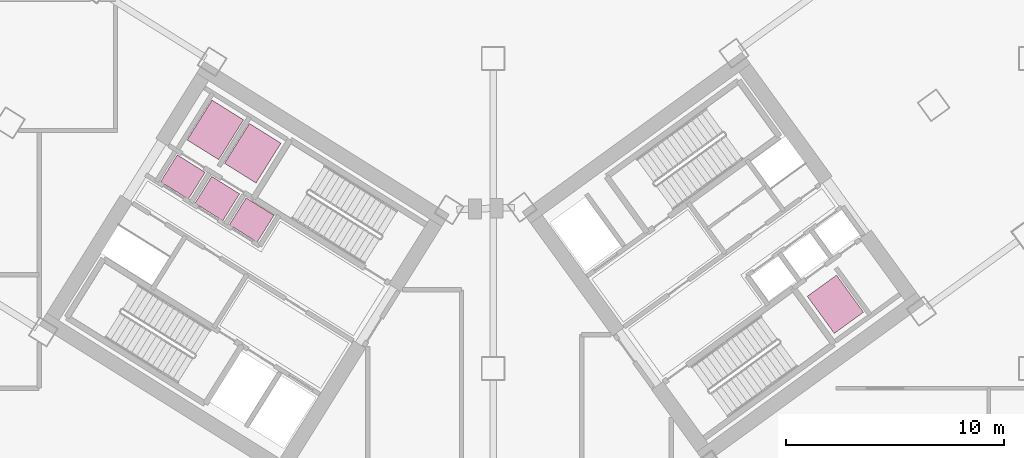
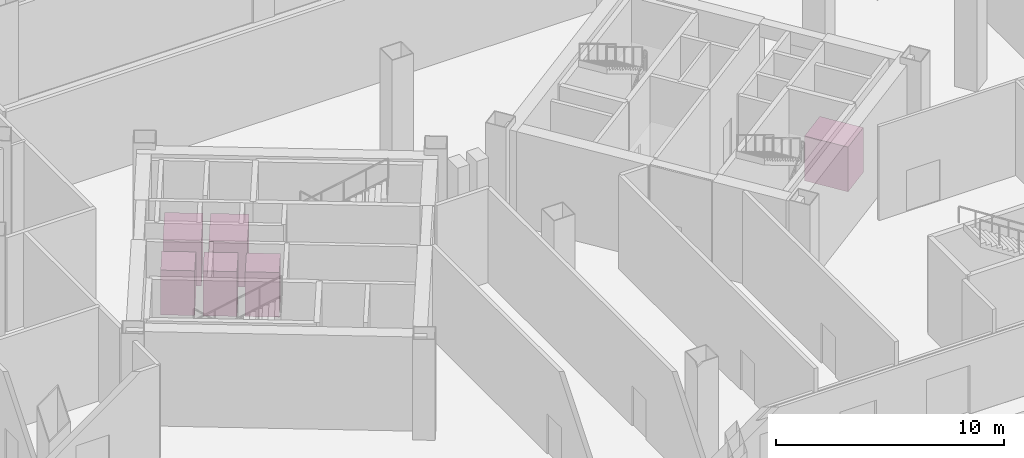
# One storey, part 22 of 22: 6 transport elements.
"""IFC4 building model written with IfcOpenShell, lengths in metres."""

from ifc_helpers import new_model, si_unit, direction, frame, origin, origin_2d, place, context, subcontext, project, spatial, rectangle, extrude, source, transform, mapped, material, type_object, element, save


model = new_model("IFC4")

# Units and contexts
model_context = context("Model", 3, precision=1e-05, world=origin(), true_north=direction((0.0, 1.0)))
body_context = subcontext(model_context, "Body", "Model", "MODEL_VIEW")
ifc_project = project(units=[si_unit("LENGTHUNIT", "METRE"), si_unit("AREAUNIT", "SQUARE_METRE"), si_unit("VOLUMEUNIT", "CUBIC_METRE"), si_unit("PLANEANGLEUNIT", "RADIAN"), si_unit("MASSUNIT", "GRAM", prefix="KILO")], contexts=[model_context])

# Site, building, storey
site_placement = place(None, origin())
site = spatial("IfcSite", under=ifc_project, at=site_placement, CompositionType="ELEMENT")
building_placement = place(site_placement, origin())
building = spatial("IfcBuilding", under=site, at=building_placement, Name="Tlacorven Tower", CompositionType="ELEMENT")
storey_placement = place(building_placement, origin())
storey = spatial("IfcBuildingStorey", under=building, at=storey_placement, Name="L00", CompositionType="ELEMENT", Elevation=0.0)

# Transport elements
ifc_material = material(Name="Brushed aluminium and steel lift cab", Category="steel")
transport_element_type_1 = type_object("IfcTransportElementType", Name="LFT-PAS-HGH", PredefinedType="ELEVATOR", material=ifc_material)
shared_shape_1 = source(origin(), body_context, "Body", "SweptSolid", [
    extrude(rectangle(XDim=1.699951171875, YDim=2.14990234375, at=origin_2d()), origin(), (0.0, 0.0, 1.0), 2.39990234375),
])
for number, where, z_axis, x_axis, name in (
    (1, (31.78857421875, 27.05810546875, 0.0), (0.0, 0.0, 1.0), (-0.848048096156, 0.529919264233, 0.0), "High-Rise Passenger Lift H1"),
    (2, (30.07568359375, 28.128662109375, 0.0), (0.0, 0.0, 1.0), (-0.848048096156, 0.529919264233, 0.0), "High-Rise Passenger Lift H2"),
):
    element("IfcTransportElement", number, at=place(storey_placement, frame(where, z_axis=z_axis, x_axis=x_axis)), inside=storey, type_object=transport_element_type_1, Name=name, PredefinedType="ELEVATOR", context=body_context, shape_type="MappedRepresentation", body=[
        mapped(shared_shape_1, transform((0.0, 0.0, 0.0), scale=1.0)),
    ])
transport_element_type_2 = type_object("IfcTransportElementType", Name="LFT-PAS-MID", PredefinedType="ELEVATOR", material=ifc_material)
shared_shape_2 = source(origin(), body_context, "Body", "SweptSolid", [
    extrude(rectangle(XDim=1.5, YDim=1.449951171875, at=origin_2d()), origin(), (0.0, 0.0, 1.0), 2.39990234375),
])
for number, where, z_axis, x_axis, name in (
    (3, (31.740234375, 23.9990234375, 0.0), (0.0, 0.0, 1.0), (-0.848048096156, 0.529919264233, 0.0), "Mid-Rise Passenger Lift M1"),
    (4, (30.162841796875, 24.984619140625, 0.0), (0.0, 0.0, 1.0), (-0.848048096156, 0.529919264233, 0.0), "Mid-Rise Passenger Lift M2"),
    (5, (28.58544921875, 25.97021484375, 0.0), (0.0, 0.0, 1.0), (-0.848048096156, 0.529919264233, 0.0), "Mid-Rise Passenger Lift M3"),
):
    element("IfcTransportElement", number, at=place(storey_placement, frame(where, z_axis=z_axis, x_axis=x_axis)), inside=storey, type_object=transport_element_type_2, Name=name, PredefinedType="ELEVATOR", context=body_context, shape_type="MappedRepresentation", body=[
        mapped(shared_shape_2, transform((0.0, 0.0, 0.0), scale=1.0)),
    ])
shared_shape_3 = source(origin(), body_context, "Body", "SweptSolid", [
    extrude(rectangle(XDim=1.64990234375, YDim=2.10009765625, at=origin_2d()), origin(), (0.0, 0.0, 1.0), 2.39990234375),
])
transport_element_placement = place(storey_placement, frame((58.475830078125, 20.142578125, 0.0), z_axis=(0.0, 0.0, 1.0), x_axis=(0.809016994375, 0.587785252292, 0.0)))
element("IfcTransportElement", 6, at=transport_element_placement, inside=storey, type_object=transport_element_type_2, Name="East Wing Mid-Rise Passenger Lift M4", PredefinedType="ELEVATOR", context=body_context, shape_type="MappedRepresentation", body=[
    mapped(shared_shape_3, transform((0.0, 0.0, 0.0), scale=1.0)),
])

save(model, "model.ifc")
